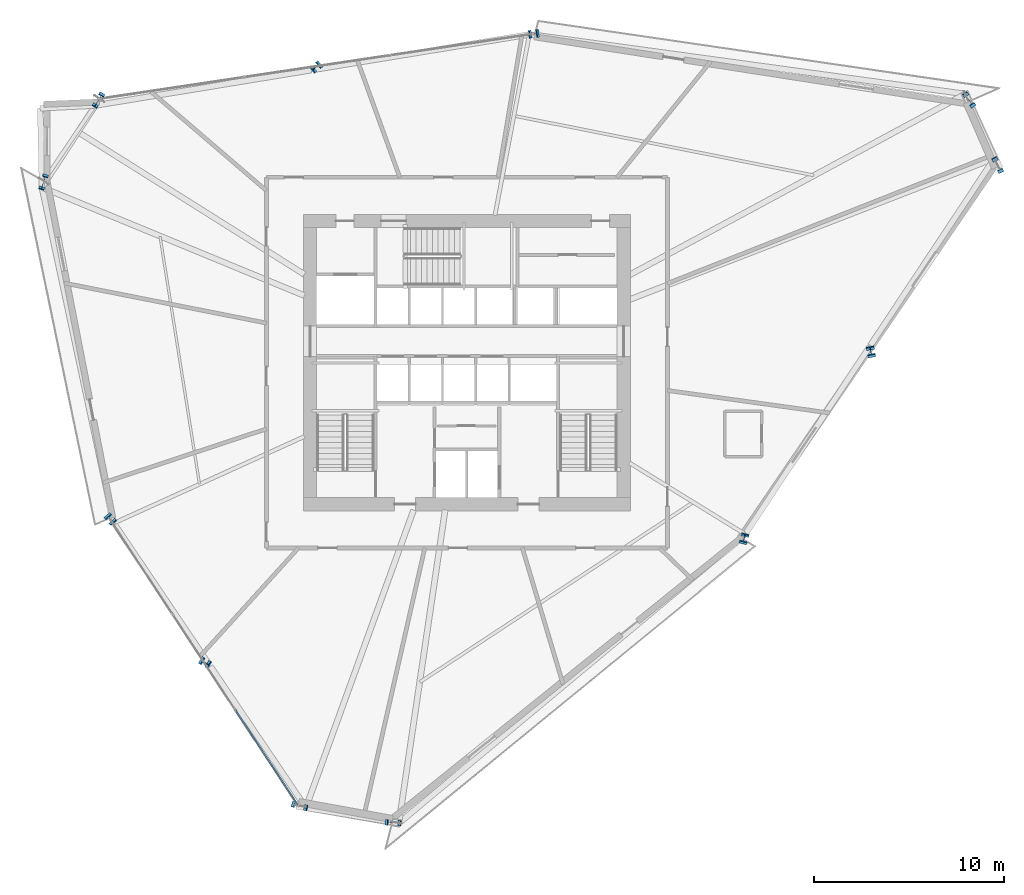
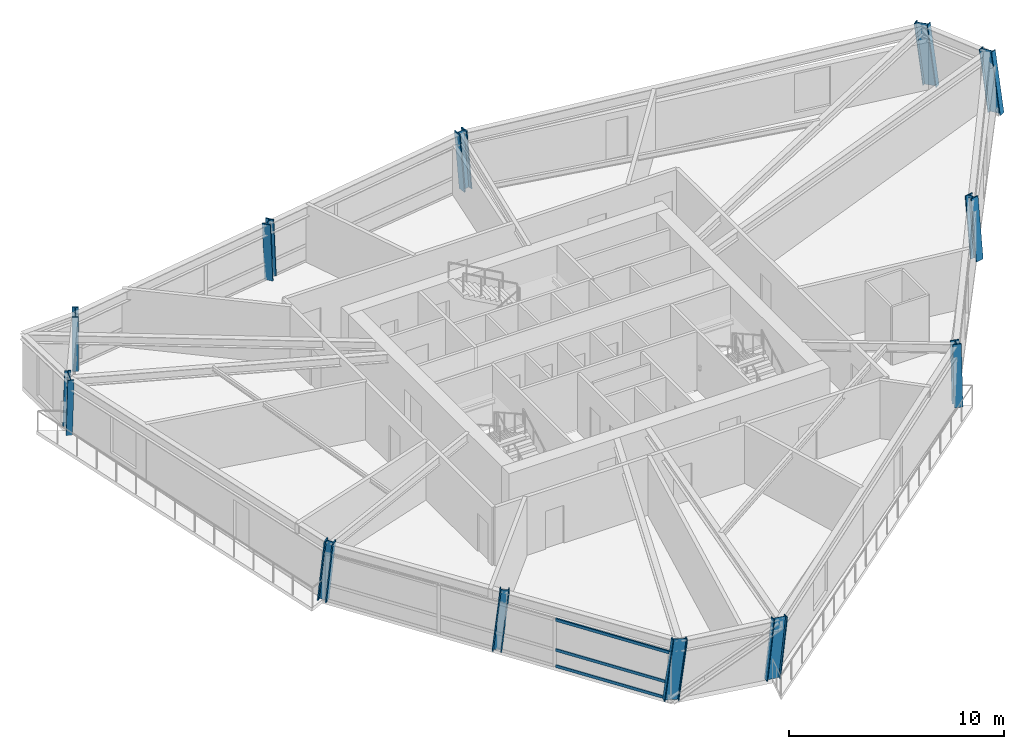
# One storey, part 1 of 14: 12 columns, 3 members, 1 element without a shape of its own.
"""IFC4 building model written with IfcOpenShell, lengths in metres."""

from ifc_helpers import new_model, si_unit, direction, frame, origin, origin_2d, place, context, subcontext, project, spatial, hollow_rectangle, i_section, extrude, source, transform, mapped, material, material_profile, profile_set, type_object, element, aggregate, save


model = new_model("IFC4")

# Units and contexts
model_context = context("Model", 3, precision=1e-05, world=origin(), true_north=direction((0.0, 1.0)))
body_context = subcontext(model_context, "Body", "Model", "MODEL_VIEW")
ifc_project = project(units=[si_unit("LENGTHUNIT", "METRE"), si_unit("AREAUNIT", "SQUARE_METRE"), si_unit("VOLUMEUNIT", "CUBIC_METRE"), si_unit("PLANEANGLEUNIT", "RADIAN"), si_unit("MASSUNIT", "GRAM", prefix="KILO")], contexts=[model_context])

# Site, building, storey
site_placement = place(None, origin())
site = spatial("IfcSite", under=ifc_project, at=site_placement, CompositionType="ELEMENT")
building_placement = place(site_placement, origin())
building = spatial("IfcBuilding", under=site, at=building_placement, Name="Olszyna Solenne Hotel", CompositionType="ELEMENT")
storey_placement = place(building_placement, frame((0.0, 0.0, 130.550048828125)))
storey = spatial("IfcBuildingStorey", under=building, at=storey_placement, Name="L34", CompositionType="ELEMENT", Elevation=130.550048828125)

# Columns
ifc_material_1 = material(Name="Steel S460M", Category="steel")
ifc_material_profile_1 = material_profile(ifc_material_1, i_section(OverallWidth=0.41796875, OverallDepth=0.455078125, WebThickness=0.03759765625, FlangeThickness=0.05908203125, at=origin_2d()), Name="HD 400x551", Category="load-bearing")
ifc_profile_set_1 = profile_set([ifc_material_profile_1], Name="Steel S460M")
column_type_1 = type_object("IfcColumnType", Name="COL-T2", PredefinedType="COLUMN", material=ifc_profile_set_1)
shared_shape_1 = source(origin(), body_context, "Body", "SweptSolid", [
    extrude(i_section(OverallWidth=0.41796875, OverallDepth=0.455078125, WebThickness=0.03759765625, FlangeThickness=0.05908203125, at=origin_2d()), origin(), (0.0, 0.0, 1.0), 3.40478515625),
])
column_1_placement = place(storey_placement, frame((59.2626953125, 27.10302734375, 0.0), z_axis=(-0.020293167508, 0.105409739351, 0.994221793265), x_axis=(-0.981968309679, -0.189045599754, 0.0)))
element("IfcColumn", 1, at=column_1_placement, inside=storey, type_object=column_type_1, Name="Perimeter framed-tube column COL-T2 C-L34-12", PredefinedType="COLUMN", context=body_context, shape_type="MappedRepresentation", body=[
    mapped(shared_shape_1, transform((0.0, 0.0, 0.0), x_axis=(1.0, 0.0, 0.0), y_axis=(0.0, 1.0, 0.0), z_axis=(0.0, 0.0, 1.0), scale=1.0)),
])
shared_shape_2 = source(origin(), body_context, "Body", "SweptSolid", [
    extrude(i_section(OverallWidth=0.41796875, OverallDepth=0.455078125, WebThickness=0.03759765625, FlangeThickness=0.05908203125, at=origin_2d()), origin(), (0.0, 0.0, 1.0), 3.3974609375),
])
column_2_placement = place(storey_placement, frame((52.5673828125, 17.29052734375, 0.0), z_axis=(0.0222761497, 0.082781046627, 0.996318759973), x_axis=(-0.965648124295, 0.259853227892, 0.0)))
element("IfcColumn", 2, at=column_2_placement, inside=storey, type_object=column_type_1, Name="Perimeter framed-tube column COL-T2 C-L34-11", PredefinedType="COLUMN", context=body_context, shape_type="MappedRepresentation", body=[
    mapped(shared_shape_2, transform((0.0, 0.0, 0.0), x_axis=(1.0, 0.0, 0.0), y_axis=(0.0, 1.0, 0.0), z_axis=(0.0, 0.0, 1.0), scale=1.0)),
])
shared_shape_3 = source(origin(), body_context, "Body", "SweptSolid", [
    extrude(i_section(OverallWidth=0.41796875, OverallDepth=0.455078125, WebThickness=0.03759765625, FlangeThickness=0.05908203125, at=origin_2d()), origin(), (0.0, 0.0, 1.0), 3.398681640625),
])
column_3_placement = place(storey_placement, frame((30.110107421875, 42.185546875, 0.0), z_axis=(-0.07068503957, -0.054953308203, 0.995983814677), x_axis=(0.613773964369, -0.78948180515, 0.0)))
element("IfcColumn", 3, at=column_3_placement, inside=storey, type_object=column_type_1, Name="Perimeter framed-tube column COL-T2 C-L34-04", PredefinedType="COLUMN", context=body_context, shape_type="MappedRepresentation", body=[
    mapped(shared_shape_3, transform((0.0, 0.0, 0.0), x_axis=(1.0, 0.0, 0.0), y_axis=(0.0, 1.0, 0.0), z_axis=(0.0, 0.0, 1.0), scale=1.0)),
])
ifc_material_profile_2 = material_profile(ifc_material_1, i_section(OverallWidth=0.303955078125, OverallDepth=0.716064453125, WebThickness=0.02099609375, FlangeThickness=0.0400390625, at=origin_2d()), Name="HEM 700", Category="load-bearing")
ifc_profile_set_2 = profile_set([ifc_material_profile_2], Name="Steel S460M")
column_type_2 = type_object("IfcColumnType", Name="COL-K2", PredefinedType="COLUMN", material=ifc_profile_set_2)
shared_shape_4 = source(origin(), body_context, "Body", "SweptSolid", [
    extrude(i_section(OverallWidth=0.303955078125, OverallDepth=0.716064453125, WebThickness=0.02099609375, FlangeThickness=0.0400390625, at=origin_2d()), origin(), (0.0, 0.0, 1.0), 3.40380859375),
])
column_4_placement = place(storey_placement, frame((15.748046875, 36.1611328125, 0.0), z_axis=(-0.030412031227, -0.10034535775, 0.994487766408), x_axis=(0.957012897048, -0.29004536694, 0.0)))
element("IfcColumn", 4, at=column_4_placement, inside=storey, type_object=column_type_2, Name="Perimeter framed-tube column COL-K2 C-L34-06", PredefinedType="COLUMN", context=body_context, shape_type="MappedRepresentation", body=[
    mapped(shared_shape_4, transform((0.0, 0.0, 0.0), x_axis=(1.0, 0.0, 0.0), y_axis=(0.0, 1.0, 0.0), z_axis=(0.0, 0.0, 1.0), scale=1.0)),
])
shared_shape_5 = source(origin(), body_context, "Body", "SweptSolid", [
    extrude(i_section(OverallWidth=0.303955078125, OverallDepth=0.716064453125, WebThickness=0.02099609375, FlangeThickness=0.0400390625, at=origin_2d()), origin(), (0.0, 0.0, 1.0), 3.415283203125),
])
column_5_placement = place(storey_placement, frame((64.459228515625, 40.353515625, 0.0), z_axis=(-0.073629240078, 0.110586829515, 0.991135353089), x_axis=(-0.832381260917, -0.554203425174, 0.0)))
element("IfcColumn", 5, at=column_5_placement, inside=storey, type_object=column_type_2, Name="Perimeter framed-tube column COL-K2 C-L34-02", PredefinedType="COLUMN", context=body_context, shape_type="MappedRepresentation", body=[
    mapped(shared_shape_5, transform((0.0, 0.0, 0.0), x_axis=(1.0, 0.0, 0.0), y_axis=(0.0, 1.0, 0.0), z_axis=(0.0, 0.0, 1.0), scale=1.0)),
])
shared_shape_6 = source(origin(), body_context, "Body", "SweptSolid", [
    extrude(i_section(OverallWidth=0.41796875, OverallDepth=0.455078125, WebThickness=0.03759765625, FlangeThickness=0.05908203125, at=origin_2d()), origin(), (0.0, 0.0, 1.0), 3.396728515625),
])
column_6_placement = place(storey_placement, frame((41.56591796875, 43.900634765625, 0.0), z_axis=(-0.082512335001, -0.009487481028, 0.996544882219), x_axis=(0.114229941236, -0.993454337413, 0.0)))
element("IfcColumn", 6, at=column_6_placement, inside=storey, type_object=column_type_1, Name="Perimeter framed-tube column COL-T2 C-L34-03", PredefinedType="COLUMN", context=body_context, shape_type="MappedRepresentation", body=[
    mapped(shared_shape_6, transform((0.0, 0.0, 0.0), x_axis=(1.0, 0.0, 0.0), y_axis=(0.0, 1.0, 0.0), z_axis=(0.0, 0.0, 1.0), scale=1.0)),
])
shared_shape_7 = source(origin(), body_context, "Body", "SweptSolid", [
    extrude(i_section(OverallWidth=0.303955078125, OverallDepth=0.716064453125, WebThickness=0.02099609375, FlangeThickness=0.0400390625, at=origin_2d()), origin(), (0.0, 0.0, 1.0), 3.41064453125),
])
column_7_placement = place(storey_placement, frame((29.126953125, 3.297119140625, 0.0), z_axis=(0.118181469683, -0.031853878867, 0.992480967387), x_axis=(0.260246111471, 0.965542314694, 0.0)))
element("IfcColumn", 7, at=column_7_placement, inside=storey, type_object=column_type_2, Name="Perimeter framed-tube column COL-K2 C-L34-09", PredefinedType="COLUMN", context=body_context, shape_type="MappedRepresentation", body=[
    mapped(shared_shape_7, transform((0.0, 0.0, 0.0), x_axis=(1.0, 0.0, 0.0), y_axis=(0.0, 1.0, 0.0), z_axis=(0.0, 0.0, 1.0), scale=1.0)),
])
shared_shape_8 = source(origin(), body_context, "Body", "SweptSolid", [
    extrude(i_section(OverallWidth=0.303955078125, OverallDepth=0.716064453125, WebThickness=0.02099609375, FlangeThickness=0.0400390625, at=origin_2d()), origin(), (0.0, 0.0, 1.0), 3.40478515625),
])
column_8_placement = place(storey_placement, frame((34.053466796875, 2.402099609375, 0.0), z_axis=(0.107485148183, -0.006740229439, 0.994183842268), x_axis=(0.062585538851, 0.998039603586, 0.0)))
element("IfcColumn", 8, at=column_8_placement, inside=storey, type_object=column_type_2, Name="Perimeter framed-tube column COL-K2 C-L34-10", PredefinedType="COLUMN", context=body_context, shape_type="MappedRepresentation", body=[
    mapped(shared_shape_8, transform((0.0, 0.0, 0.0), x_axis=(1.0, 0.0, 0.0), y_axis=(0.0, 1.0, 0.0), z_axis=(0.0, 0.0, 1.0), scale=1.0)),
])
shared_shape_9 = source(origin(), body_context, "Body", "SweptSolid", [
    extrude(i_section(OverallWidth=0.303955078125, OverallDepth=0.716064453125, WebThickness=0.02099609375, FlangeThickness=0.0400390625, at=origin_2d()), origin(), (0.0, 0.0, 1.0), 3.419677734375),
])
column_9_placement = place(storey_placement, frame((65.9580078125, 36.91552734375, 0.0), z_axis=(-0.062468010228, 0.127648916899, 0.989850242063), x_axis=(-0.898212502069, -0.43956148731, 0.0)))
element("IfcColumn", 9, at=column_9_placement, inside=storey, type_object=column_type_2, Name="Perimeter framed-tube column COL-K2 C-L34-01", PredefinedType="COLUMN", context=body_context, shape_type="MappedRepresentation", body=[
    mapped(shared_shape_9, transform((0.0, 0.0, 0.0), x_axis=(1.0, 0.0, 0.0), y_axis=(0.0, 1.0, 0.0), z_axis=(0.0, 0.0, 1.0), scale=1.0)),
])
shared_shape_10 = source(origin(), body_context, "Body", "SweptSolid", [
    extrude(i_section(OverallWidth=0.303955078125, OverallDepth=0.716064453125, WebThickness=0.02099609375, FlangeThickness=0.0400390625, at=origin_2d()), origin(), (0.0, 0.0, 1.0), 3.407958984375),
])
column_10_placement = place(storey_placement, frame((18.654296875, 40.470703125, 0.0), z_axis=(-0.058813141151, -0.100147102715, 0.993232889229), x_axis=(0.862298686328, -0.506400015361, 0.0)))
element("IfcColumn", 10, at=column_10_placement, inside=storey, type_object=column_type_2, Name="Perimeter framed-tube column COL-K2 C-L34-05", PredefinedType="COLUMN", context=body_context, shape_type="MappedRepresentation", body=[
    mapped(shared_shape_10, transform((0.0, 0.0, 0.0), x_axis=(1.0, 0.0, 0.0), y_axis=(0.0, 1.0, 0.0), z_axis=(0.0, 0.0, 1.0), scale=1.0)),
])
shared_shape_11 = source(origin(), body_context, "Body", "SweptSolid", [
    extrude(i_section(OverallWidth=0.41796875, OverallDepth=0.455078125, WebThickness=0.03759765625, FlangeThickness=0.05908203125, at=origin_2d()), origin(), (0.0, 0.0, 1.0), 3.401611328125),
])
column_11_placement = place(storey_placement, frame((19.206298828125, 18.413818359375, 0.0), z_axis=(0.063876758213, -0.075288448725, 0.995113766988), x_axis=(0.762530868569, 0.646951833199, 0.0)))
element("IfcColumn", 11, at=column_11_placement, inside=storey, type_object=column_type_1, Name="Perimeter framed-tube column COL-T2 C-L34-07", PredefinedType="COLUMN", context=body_context, shape_type="MappedRepresentation", body=[
    mapped(shared_shape_11, transform((0.0, 0.0, 0.0), x_axis=(1.0, 0.0, 0.0), y_axis=(0.0, 1.0, 0.0), z_axis=(0.0, 0.0, 1.0), scale=1.0)),
])
shared_shape_12 = source(origin(), body_context, "Body", "SweptSolid", [
    extrude(i_section(OverallWidth=0.41796875, OverallDepth=0.455078125, WebThickness=0.03759765625, FlangeThickness=0.05908203125, at=origin_2d()), origin(), (0.0, 0.0, 1.0), 3.404052734375),
])
column_12_placement = place(storey_placement, frame((24.166748046875, 10.85546875, 0.0), z_axis=(0.091084690741, -0.05357501101, 0.994400974109), x_axis=(0.50699046576, 0.861951662002, 0.0)))
element("IfcColumn", 12, at=column_12_placement, inside=storey, type_object=column_type_1, Name="Perimeter framed-tube column COL-T2 C-L34-08", PredefinedType="COLUMN", context=body_context, shape_type="MappedRepresentation", body=[
    mapped(shared_shape_12, transform((0.0, 0.0, 0.0), x_axis=(1.0, 0.0, 0.0), y_axis=(0.0, 1.0, 0.0), z_axis=(0.0, 0.0, 1.0), scale=1.0)),
])

# Curtain wall, members
ifc_material_2 = material(Name="Anodised bronze aluminium", Category="aluminium")
curtain_wall_type = type_object("IfcCurtainWallType", Name="CW-SYS-3", PredefinedType="NOTDEFINED", material=ifc_material_2)
curtain_wall_placement = place(storey_placement, origin())
curtain_wall = element("IfcCurtainWall", 13, at=curtain_wall_placement, inside=storey, type_object=curtain_wall_type, Name="Unitised curtain wall CW-SYS-3 CW-L34-01", PredefinedType="NOTDEFINED")
ifc_material_profile_3 = material_profile(ifc_material_2, hollow_rectangle(XDim=0.074951171875, YDim=0.159912109375, WallThickness=0.00390625, at=origin_2d()), Name="TRAN 160x75x4", Category="load-bearing")
ifc_profile_set_3 = profile_set([ifc_material_profile_3], Name="Anodised bronze aluminium")
member_type = type_object("IfcMemberType", Name="CW-T1", PredefinedType="USERDEFINED", material=ifc_profile_set_3)
shared_shape_13 = source(origin(), body_context, "Body", "SweptSolid", [
    extrude(hollow_rectangle(XDim=0.074951171875, YDim=0.159912109375, WallThickness=0.00390625, at=origin_2d()), origin(), (0.0, 0.0, 1.0), 5.91455078125),
])
member_1_placement = place(storey_placement, frame((25.8408203125, 8.3046875, 0.037353515625), z_axis=(0.548665457782, -0.836041993824, 0.0), x_axis=(0.836041993824, 0.548665457782, 0.0)))
member_1 = element("IfcMember", 14, at=member_1_placement, type_object=member_type, Name="Curtain-wall transom CW-T1 CT-L34-01-07", ObjectType="TRANSOM", PredefinedType="USERDEFINED", context=body_context, shape_type="MappedRepresentation", body=[
    mapped(shared_shape_13, transform((0.0, 0.0, 0.0), x_axis=(1.0, 0.0, 0.0), y_axis=(0.0, 1.0, 0.0), z_axis=(0.0, 0.0, 1.0), scale=1.0)),
])
member_2_placement = place(storey_placement, frame((25.8408203125, 8.3046875, 0.949951171875), z_axis=(0.548665457782, -0.836041993824, 0.0), x_axis=(0.836041993824, 0.548665457782, 0.0)))
member_2 = element("IfcMember", 15, at=member_2_placement, type_object=member_type, Name="Curtain-wall transom CW-T1 CT-L34-01-08", ObjectType="TRANSOM", PredefinedType="USERDEFINED", context=body_context, shape_type="MappedRepresentation", body=[
    mapped(shared_shape_13, transform((0.0, 0.0, 0.0), x_axis=(1.0, 0.0, 0.0), y_axis=(0.0, 1.0, 0.0), z_axis=(0.0, 0.0, 1.0), scale=1.0)),
])
member_3_placement = place(storey_placement, frame((25.8408203125, 8.3046875, 2.654541015625), z_axis=(0.548665457782, -0.836041993824, 0.0), x_axis=(0.836041993824, 0.548665457782, 0.0)))
member_3 = element("IfcMember", 16, at=member_3_placement, type_object=member_type, Name="Curtain-wall transom CW-T1 CT-L34-01-09", ObjectType="TRANSOM", PredefinedType="USERDEFINED", context=body_context, shape_type="MappedRepresentation", body=[
    mapped(shared_shape_13, transform((0.0, 0.0, 0.0), x_axis=(1.0, 0.0, 0.0), y_axis=(0.0, 1.0, 0.0), z_axis=(0.0, 0.0, 1.0), scale=1.0)),
])
aggregate(curtain_wall, [member_1, member_2, member_3])

save(model, "model.ifc")
